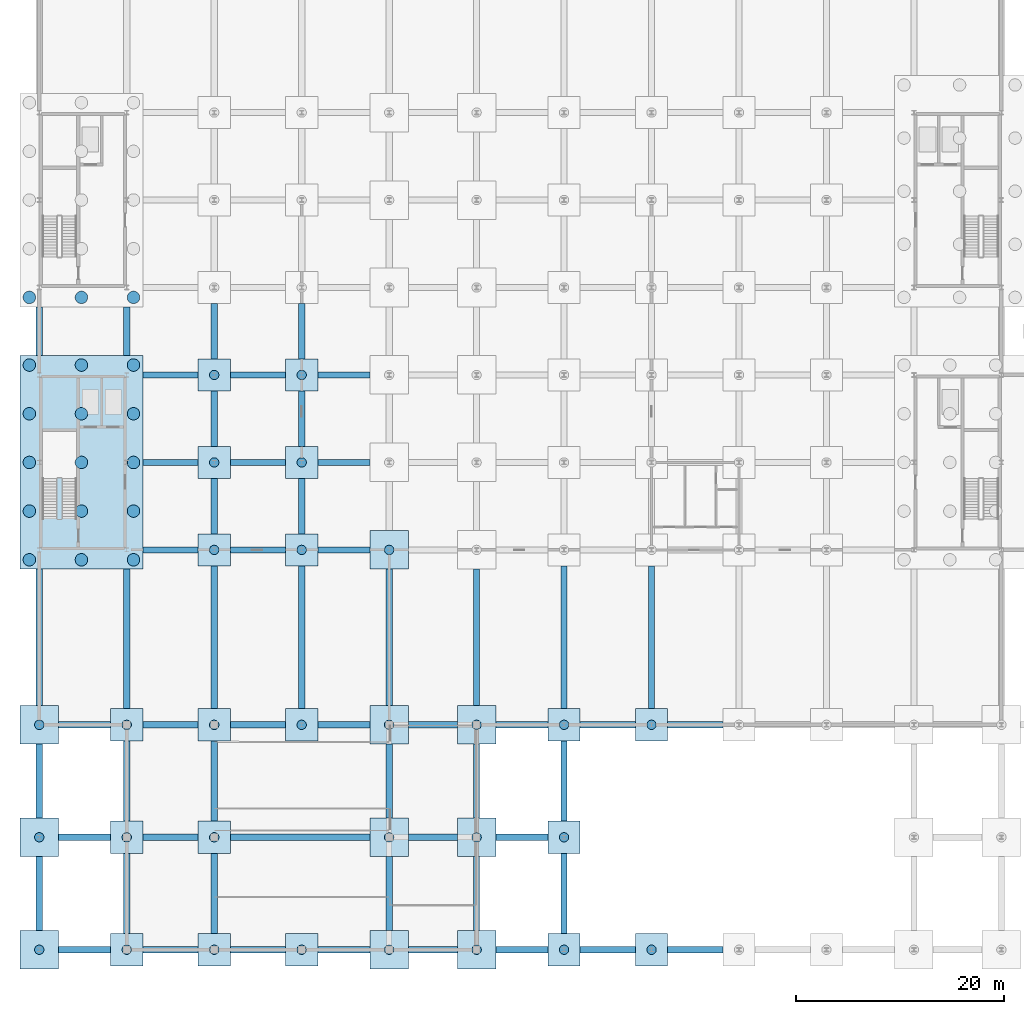
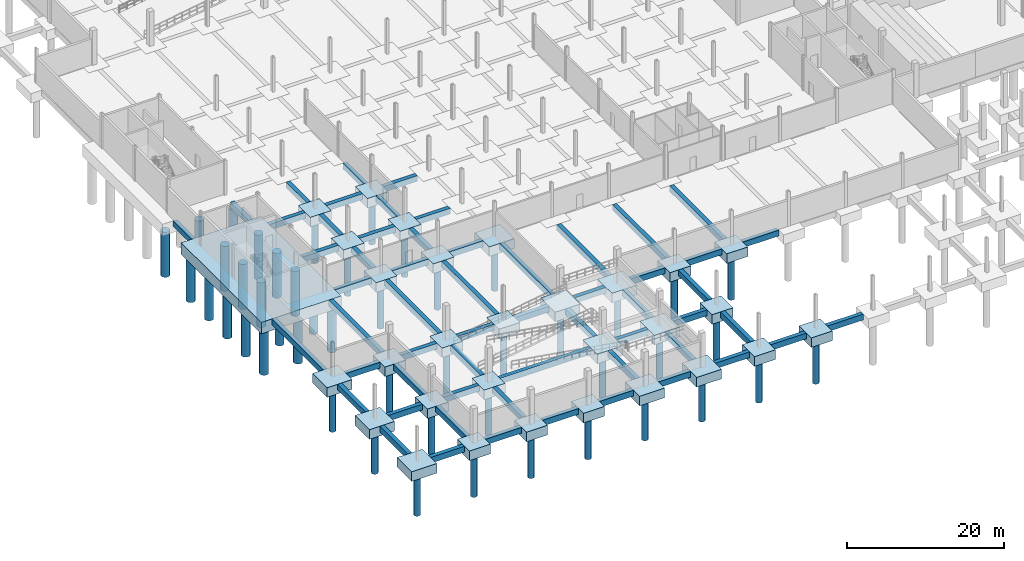
# One storey, part 1 of 36: 88 footings, 47 piles.
"""IFC4 building model written with IfcOpenShell, lengths in metres."""

from ifc_helpers import new_model, si_unit, direction, frame, origin, origin_2d, place, context, subcontext, project, spatial, rectangle, circle, extrude, material, material_profile, profile_set, type_object, element, save


model = new_model("IFC4")

# Units and contexts
model_context = context("Model", 3, precision=1e-05, world=origin(), true_north=direction((0.0, 1.0)))
body_context = subcontext(model_context, "Body", "Model", "MODEL_VIEW")
ifc_project = project(units=[si_unit("LENGTHUNIT", "METRE"), si_unit("AREAUNIT", "SQUARE_METRE"), si_unit("VOLUMEUNIT", "CUBIC_METRE"), si_unit("PLANEANGLEUNIT", "RADIAN"), si_unit("MASSUNIT", "GRAM", prefix="KILO"), si_unit("THERMODYNAMICTEMPERATUREUNIT", "KELVIN"), si_unit("POWERUNIT", "WATT")], contexts=[model_context])

# Site, building, storey
site_placement = place(None, origin())
site = spatial("IfcSite", under=ifc_project, at=site_placement, CompositionType="ELEMENT")
building_placement = place(site_placement, origin())
building = spatial("IfcBuilding", under=site, at=building_placement, Name="Tembeka Court Mobility Hub", CompositionType="ELEMENT")
storey_placement = place(building_placement, frame((0.0, 0.0, -5.39990234375)))
storey = spatial("IfcBuildingStorey", under=building, at=storey_placement, Name="B1", CompositionType="ELEMENT", Elevation=-5.39990234375)

# Footings
ifc_material = material(Name="Concrete C40/50", Category="concrete")
footing_type_1 = type_object("IfcFootingType", Name="FT-GB01", PredefinedType="FOOTING_BEAM", material=ifc_material)
footing_1_placement = place(storey_placement, frame((4.35009765625, 0.0, -0.900146484375), z_axis=(0.0, 0.0, 1.0), x_axis=(1.0, 0.0, 0.0)))
element("IfcFooting", 1, at=footing_1_placement, inside=storey, type_object=footing_type_1, Name="Ground tie beam GB01 X-001", PredefinedType="FOOTING_BEAM", context=body_context, shape_type="SweptSolid", body=[
    extrude(rectangle(XDim=5.0, YDim=0.60009765625, at=origin_2d()), origin(), (0.0, 0.0, 1.0), 0.89990234375),
])
for number, where, z_axis, x_axis, name in (
    (2, (12.60009765625, 0.0, -0.900146484375), (0.0, 0.0, 1.0), (1.0, 0.0, 0.0), "Ground tie beam GB01 X-002"),
    (3, (21.0, 0.0, -0.900146484375), (0.0, 0.0, 1.0), (1.0, 0.0, 0.0), "Ground tie beam GB01 X-003"),
):
    element("IfcFooting", number, at=place(storey_placement, frame(where, z_axis=z_axis, x_axis=x_axis)), inside=storey, type_object=footing_type_1, Name=name, PredefinedType="FOOTING_BEAM", context=body_context, shape_type="SweptSolid", body=[
        extrude(rectangle(XDim=5.300048828125, YDim=0.60009765625, at=origin_2d()), origin(), (0.0, 0.0, 1.0), 0.89990234375),
    ])
footing_2_placement = place(storey_placement, frame((29.25, 0.0, -0.900146484375), z_axis=(0.0, 0.0, 1.0), x_axis=(1.0, 0.0, 0.0)))
element("IfcFooting", 4, at=footing_2_placement, inside=storey, type_object=footing_type_1, Name="Ground tie beam GB01 X-004", PredefinedType="FOOTING_BEAM", context=body_context, shape_type="SweptSolid", body=[
    extrude(rectangle(XDim=5.0, YDim=0.60009765625, at=origin_2d()), origin(), (0.0, 0.0, 1.0), 0.89990234375),
])
footing_3_placement = place(storey_placement, frame((37.800048828125, 0.0, -0.900146484375), z_axis=(0.0, 0.0, 1.0), x_axis=(1.0, 0.0, 0.0)))
element("IfcFooting", 5, at=footing_3_placement, inside=storey, type_object=footing_type_1, Name="Ground tie beam GB01 X-005", PredefinedType="FOOTING_BEAM", context=body_context, shape_type="SweptSolid", body=[
    extrude(rectangle(XDim=4.699951171875, YDim=0.60009765625, at=origin_2d()), origin(), (0.0, 0.0, 1.0), 0.89990234375),
])
footing_4_placement = place(storey_placement, frame((46.35009765625, 0.0, -0.900146484375), z_axis=(0.0, 0.0, 1.0), x_axis=(1.0, 0.0, 0.0)))
element("IfcFooting", 6, at=footing_4_placement, inside=storey, type_object=footing_type_1, Name="Ground tie beam GB01 X-006", PredefinedType="FOOTING_BEAM", context=body_context, shape_type="SweptSolid", body=[
    extrude(rectangle(XDim=5.0, YDim=0.60009765625, at=origin_2d()), origin(), (0.0, 0.0, 1.0), 0.89990234375),
])
for number, where, z_axis, x_axis, name in (
    (7, (54.60009765625, 0.0, -0.900146484375), (0.0, 0.0, 1.0), (1.0, 0.0, 0.0), "Ground tie beam GB01 X-007"),
    (8, (63.0, 0.0, -0.900146484375), (0.0, 0.0, 1.0), (1.0, 0.0, 0.0), "Ground tie beam GB01 X-008"),
):
    element("IfcFooting", number, at=place(storey_placement, frame(where, z_axis=z_axis, x_axis=x_axis)), inside=storey, type_object=footing_type_1, Name=name, PredefinedType="FOOTING_BEAM", context=body_context, shape_type="SweptSolid", body=[
        extrude(rectangle(XDim=5.300048828125, YDim=0.60009765625, at=origin_2d()), origin(), (0.0, 0.0, 1.0), 0.89990234375),
    ])
footing_5_placement = place(storey_placement, frame((4.35009765625, 10.800048828125, -0.900146484375), z_axis=(0.0, 0.0, 1.0), x_axis=(1.0, 0.0, 0.0)))
element("IfcFooting", 9, at=footing_5_placement, inside=storey, type_object=footing_type_1, Name="Ground tie beam GB01 X-016", PredefinedType="FOOTING_BEAM", context=body_context, shape_type="SweptSolid", body=[
    extrude(rectangle(XDim=5.0, YDim=0.60009765625, at=origin_2d()), origin(), (0.0, 0.0, 1.0), 0.89990234375),
])
footing_6_placement = place(storey_placement, frame((12.60009765625, 10.800048828125, -0.900146484375), z_axis=(0.0, 0.0, 1.0), x_axis=(1.0, 0.0, 0.0)))
element("IfcFooting", 10, at=footing_6_placement, inside=storey, type_object=footing_type_1, Name="Ground tie beam GB01 X-017", PredefinedType="FOOTING_BEAM", context=body_context, shape_type="SweptSolid", body=[
    extrude(rectangle(XDim=5.300048828125, YDim=0.60009765625, at=origin_2d()), origin(), (0.0, 0.0, 1.0), 0.89990234375),
])
footing_7_placement = place(storey_placement, frame((25.050048828125, 10.800048828125, -0.900146484375), z_axis=(0.0, 0.0, 1.0), x_axis=(1.0, 0.0, 0.0)))
element("IfcFooting", 11, at=footing_7_placement, inside=storey, type_object=footing_type_1, Name="Ground tie beam GB01 X-018", PredefinedType="FOOTING_BEAM", context=body_context, shape_type="SweptSolid", body=[
    extrude(rectangle(XDim=13.39990234375, YDim=0.60009765625, at=origin_2d()), origin(), (0.0, 0.0, 1.0), 0.89990234375),
])
footing_8_placement = place(storey_placement, frame((37.800048828125, 10.800048828125, -0.900146484375), z_axis=(0.0, 0.0, 1.0), x_axis=(1.0, 0.0, 0.0)))
element("IfcFooting", 12, at=footing_8_placement, inside=storey, type_object=footing_type_1, Name="Ground tie beam GB01 X-019", PredefinedType="FOOTING_BEAM", context=body_context, shape_type="SweptSolid", body=[
    extrude(rectangle(XDim=4.699951171875, YDim=0.60009765625, at=origin_2d()), origin(), (0.0, 0.0, 1.0), 0.89990234375),
])
for number, where, z_axis, x_axis, name in (
    (13, (46.35009765625, 10.800048828125, -0.900146484375), (0.0, 0.0, 1.0), (1.0, 0.0, 0.0), "Ground tie beam GB01 X-020"),
    (14, (4.35009765625, 21.60009765625, -0.900146484375), (0.0, 0.0, 1.0), (1.0, 0.0, 0.0), "Ground tie beam GB01 X-026"),
):
    element("IfcFooting", number, at=place(storey_placement, frame(where, z_axis=z_axis, x_axis=x_axis)), inside=storey, type_object=footing_type_1, Name=name, PredefinedType="FOOTING_BEAM", context=body_context, shape_type="SweptSolid", body=[
        extrude(rectangle(XDim=5.0, YDim=0.60009765625, at=origin_2d()), origin(), (0.0, 0.0, 1.0), 0.89990234375),
    ])
for number, where, z_axis, x_axis, name in (
    (15, (12.60009765625, 21.60009765625, -0.900146484375), (0.0, 0.0, 1.0), (1.0, 0.0, 0.0), "Ground tie beam GB01 X-027"),
    (16, (21.0, 21.60009765625, -0.900146484375), (0.0, 0.0, 1.0), (1.0, 0.0, 0.0), "Ground tie beam GB01 X-028"),
):
    element("IfcFooting", number, at=place(storey_placement, frame(where, z_axis=z_axis, x_axis=x_axis)), inside=storey, type_object=footing_type_1, Name=name, PredefinedType="FOOTING_BEAM", context=body_context, shape_type="SweptSolid", body=[
        extrude(rectangle(XDim=5.300048828125, YDim=0.60009765625, at=origin_2d()), origin(), (0.0, 0.0, 1.0), 0.89990234375),
    ])
footing_9_placement = place(storey_placement, frame((29.25, 21.60009765625, -0.900146484375), z_axis=(0.0, 0.0, 1.0), x_axis=(1.0, 0.0, 0.0)))
element("IfcFooting", 17, at=footing_9_placement, inside=storey, type_object=footing_type_1, Name="Ground tie beam GB01 X-029", PredefinedType="FOOTING_BEAM", context=body_context, shape_type="SweptSolid", body=[
    extrude(rectangle(XDim=5.0, YDim=0.60009765625, at=origin_2d()), origin(), (0.0, 0.0, 1.0), 0.89990234375),
])
footing_10_placement = place(storey_placement, frame((37.800048828125, 21.60009765625, -0.900146484375), z_axis=(0.0, 0.0, 1.0), x_axis=(1.0, 0.0, 0.0)))
element("IfcFooting", 18, at=footing_10_placement, inside=storey, type_object=footing_type_1, Name="Ground tie beam GB01 X-030", PredefinedType="FOOTING_BEAM", context=body_context, shape_type="SweptSolid", body=[
    extrude(rectangle(XDim=4.699951171875, YDim=0.60009765625, at=origin_2d()), origin(), (0.0, 0.0, 1.0), 0.89990234375),
])
footing_11_placement = place(storey_placement, frame((46.35009765625, 21.60009765625, -0.900146484375), z_axis=(0.0, 0.0, 1.0), x_axis=(1.0, 0.0, 0.0)))
element("IfcFooting", 19, at=footing_11_placement, inside=storey, type_object=footing_type_1, Name="Ground tie beam GB01 X-031", PredefinedType="FOOTING_BEAM", context=body_context, shape_type="SweptSolid", body=[
    extrude(rectangle(XDim=5.0, YDim=0.60009765625, at=origin_2d()), origin(), (0.0, 0.0, 1.0), 0.89990234375),
])
for number, where, z_axis, x_axis, name in (
    (20, (54.60009765625, 21.60009765625, -0.900146484375), (0.0, 0.0, 1.0), (1.0, 0.0, 0.0), "Ground tie beam GB01 X-032"),
    (21, (63.0, 21.60009765625, -0.900146484375), (0.0, 0.0, 1.0), (1.0, 0.0, 0.0), "Ground tie beam GB01 X-033"),
    (22, (12.60009765625, 38.39990234375, -0.900146484375), (0.0, 0.0, 1.0), (1.0, 0.0, 0.0), "Ground tie beam GB01 X-043"),
    (23, (21.0, 38.39990234375, -0.900146484375), (0.0, 0.0, 1.0), (1.0, 0.0, 0.0), "Ground tie beam GB01 X-044"),
):
    element("IfcFooting", number, at=place(storey_placement, frame(where, z_axis=z_axis, x_axis=x_axis)), inside=storey, type_object=footing_type_1, Name=name, PredefinedType="FOOTING_BEAM", context=body_context, shape_type="SweptSolid", body=[
        extrude(rectangle(XDim=5.300048828125, YDim=0.60009765625, at=origin_2d()), origin(), (0.0, 0.0, 1.0), 0.89990234375),
    ])
footing_12_placement = place(storey_placement, frame((29.25, 38.39990234375, -0.900146484375), z_axis=(0.0, 0.0, 1.0), x_axis=(1.0, 0.0, 0.0)))
element("IfcFooting", 24, at=footing_12_placement, inside=storey, type_object=footing_type_1, Name="Ground tie beam GB01 X-045", PredefinedType="FOOTING_BEAM", context=body_context, shape_type="SweptSolid", body=[
    extrude(rectangle(XDim=5.0, YDim=0.60009765625, at=origin_2d()), origin(), (0.0, 0.0, 1.0), 0.89990234375),
])
for number, where, z_axis, x_axis, name in (
    (25, (12.60009765625, 46.800048828125, -0.900146484375), (0.0, 0.0, 1.0), (1.0, 0.0, 0.0), "Ground tie beam GB01 X-057"),
    (26, (21.0, 46.800048828125, -0.900146484375), (0.0, 0.0, 1.0), (1.0, 0.0, 0.0), "Ground tie beam GB01 X-058"),
):
    element("IfcFooting", number, at=place(storey_placement, frame(where, z_axis=z_axis, x_axis=x_axis)), inside=storey, type_object=footing_type_1, Name=name, PredefinedType="FOOTING_BEAM", context=body_context, shape_type="SweptSolid", body=[
        extrude(rectangle(XDim=5.300048828125, YDim=0.60009765625, at=origin_2d()), origin(), (0.0, 0.0, 1.0), 0.89990234375),
    ])
footing_13_placement = place(storey_placement, frame((29.25, 46.800048828125, -0.900146484375), z_axis=(0.0, 0.0, 1.0), x_axis=(1.0, 0.0, 0.0)))
element("IfcFooting", 27, at=footing_13_placement, inside=storey, type_object=footing_type_1, Name="Ground tie beam GB01 X-059", PredefinedType="FOOTING_BEAM", context=body_context, shape_type="SweptSolid", body=[
    extrude(rectangle(XDim=5.0, YDim=0.60009765625, at=origin_2d()), origin(), (0.0, 0.0, 1.0), 0.89990234375),
])
for number, where, z_axis, x_axis, name in (
    (28, (12.60009765625, 55.199951171875, -0.900146484375), (0.0, 0.0, 1.0), (1.0, 0.0, 0.0), "Ground tie beam GB01 X-071"),
    (29, (21.0, 55.199951171875, -0.900146484375), (0.0, 0.0, 1.0), (1.0, 0.0, 0.0), "Ground tie beam GB01 X-072"),
):
    element("IfcFooting", number, at=place(storey_placement, frame(where, z_axis=z_axis, x_axis=x_axis)), inside=storey, type_object=footing_type_1, Name=name, PredefinedType="FOOTING_BEAM", context=body_context, shape_type="SweptSolid", body=[
        extrude(rectangle(XDim=5.300048828125, YDim=0.60009765625, at=origin_2d()), origin(), (0.0, 0.0, 1.0), 0.89990234375),
    ])
footing_14_placement = place(storey_placement, frame((29.25, 55.199951171875, -0.900146484375), z_axis=(0.0, 0.0, 1.0), x_axis=(1.0, 0.0, 0.0)))
element("IfcFooting", 30, at=footing_14_placement, inside=storey, type_object=footing_type_1, Name="Ground tie beam GB01 X-073", PredefinedType="FOOTING_BEAM", context=body_context, shape_type="SweptSolid", body=[
    extrude(rectangle(XDim=5.0, YDim=0.60009765625, at=origin_2d()), origin(), (0.0, 0.0, 1.0), 0.89990234375),
])
for number, where, z_axis, x_axis, name in (
    (31, (0.0, 5.39990234375, -0.900146484375), (0.0, 0.0, 1.0), (0.0, 1.0, 0.0), "Ground tie beam GB01 Y-161"),
    (32, (0.0, 16.199951171875, -0.900146484375), (0.0, 0.0, 1.0), (0.0, 1.0, 0.0), "Ground tie beam GB01 Y-162"),
):
    element("IfcFooting", number, at=place(storey_placement, frame(where, z_axis=z_axis, x_axis=x_axis)), inside=storey, type_object=footing_type_1, Name=name, PredefinedType="FOOTING_BEAM", context=body_context, shape_type="SweptSolid", body=[
        extrude(rectangle(XDim=7.10009765625, YDim=0.60009765625, at=origin_2d()), origin(), (0.0, 0.0, 1.0), 0.89990234375),
    ])
footing_15_placement = place(storey_placement, frame((0.0, 30.0, -0.900146484375), z_axis=(0.0, 0.0, 1.0), x_axis=(0.0, 1.0, 0.0)))
element("IfcFooting", 33, at=footing_15_placement, inside=storey, type_object=footing_type_1, Name="Ground tie beam GB01 Y-163", PredefinedType="FOOTING_BEAM", context=body_context, shape_type="SweptSolid", body=[
    extrude(rectangle(XDim=13.10009765625, YDim=0.60009765625, at=origin_2d()), origin(), (0.0, 0.0, 1.0), 0.89990234375),
])
footing_16_placement = place(storey_placement, frame((0.0, 59.39990234375, -0.900146484375), z_axis=(0.0, 0.0, 1.0), x_axis=(0.0, 1.0, 0.0)))
element("IfcFooting", 34, at=footing_16_placement, inside=storey, type_object=footing_type_1, Name="Ground tie beam GB01 Y-164", PredefinedType="FOOTING_BEAM", context=body_context, shape_type="SweptSolid", body=[
    extrude(rectangle(XDim=4.699951171875, YDim=0.60009765625, at=origin_2d()), origin(), (0.0, 0.0, 1.0), 0.89990234375),
])
for number, where, z_axis, x_axis, name in (
    (35, (8.39990234375, 5.39990234375, -0.900146484375), (0.0, 0.0, 1.0), (0.0, 1.0, 0.0), "Ground tie beam GB01 Y-168"),
    (36, (8.39990234375, 16.199951171875, -0.900146484375), (0.0, 0.0, 1.0), (0.0, 1.0, 0.0), "Ground tie beam GB01 Y-169"),
):
    element("IfcFooting", number, at=place(storey_placement, frame(where, z_axis=z_axis, x_axis=x_axis)), inside=storey, type_object=footing_type_1, Name=name, PredefinedType="FOOTING_BEAM", context=body_context, shape_type="SweptSolid", body=[
        extrude(rectangle(XDim=7.699951171875, YDim=0.60009765625, at=origin_2d()), origin(), (0.0, 0.0, 1.0), 0.89990234375),
    ])
footing_17_placement = place(storey_placement, frame((8.39990234375, 29.85009765625, -0.900146484375), z_axis=(0.0, 0.0, 1.0), x_axis=(0.0, 1.0, 0.0)))
element("IfcFooting", 37, at=footing_17_placement, inside=storey, type_object=footing_type_1, Name="Ground tie beam GB01 Y-170", PredefinedType="FOOTING_BEAM", context=body_context, shape_type="SweptSolid", body=[
    extrude(rectangle(XDim=13.39990234375, YDim=0.60009765625, at=origin_2d()), origin(), (0.0, 0.0, 1.0), 0.89990234375),
])
footing_18_placement = place(storey_placement, frame((8.39990234375, 59.39990234375, -0.900146484375), z_axis=(0.0, 0.0, 1.0), x_axis=(0.0, 1.0, 0.0)))
element("IfcFooting", 38, at=footing_18_placement, inside=storey, type_object=footing_type_1, Name="Ground tie beam GB01 Y-171", PredefinedType="FOOTING_BEAM", context=body_context, shape_type="SweptSolid", body=[
    extrude(rectangle(XDim=4.699951171875, YDim=0.60009765625, at=origin_2d()), origin(), (0.0, 0.0, 1.0), 0.89990234375),
])
for number, where, z_axis, x_axis, name in (
    (39, (16.800048828125, 5.39990234375, -0.900146484375), (0.0, 0.0, 1.0), (0.0, 1.0, 0.0), "Ground tie beam GB01 Y-175"),
    (40, (16.800048828125, 16.199951171875, -0.900146484375), (0.0, 0.0, 1.0), (0.0, 1.0, 0.0), "Ground tie beam GB01 Y-176"),
):
    element("IfcFooting", number, at=place(storey_placement, frame(where, z_axis=z_axis, x_axis=x_axis)), inside=storey, type_object=footing_type_1, Name=name, PredefinedType="FOOTING_BEAM", context=body_context, shape_type="SweptSolid", body=[
        extrude(rectangle(XDim=7.699951171875, YDim=0.60009765625, at=origin_2d()), origin(), (0.0, 0.0, 1.0), 0.89990234375),
    ])
footing_19_placement = place(storey_placement, frame((16.800048828125, 30.0, -0.900146484375), z_axis=(0.0, 0.0, 1.0), x_axis=(0.0, 1.0, 0.0)))
element("IfcFooting", 41, at=footing_19_placement, inside=storey, type_object=footing_type_1, Name="Ground tie beam GB01 Y-177", PredefinedType="FOOTING_BEAM", context=body_context, shape_type="SweptSolid", body=[
    extrude(rectangle(XDim=13.699951171875, YDim=0.60009765625, at=origin_2d()), origin(), (0.0, 0.0, 1.0), 0.89990234375),
])
for number, where, z_axis, x_axis, name in (
    (42, (16.800048828125, 42.60009765625, -0.900146484375), (0.0, 0.0, 1.0), (0.0, 1.0, 0.0), "Ground tie beam GB01 Y-178"),
    (43, (16.800048828125, 51.0, -0.900146484375), (0.0, 0.0, 1.0), (0.0, 1.0, 0.0), "Ground tie beam GB01 Y-179"),
    (44, (16.800048828125, 59.39990234375, -0.900146484375), (0.0, 0.0, 1.0), (0.0, 1.0, 0.0), "Ground tie beam GB01 Y-180"),
):
    element("IfcFooting", number, at=place(storey_placement, frame(where, z_axis=z_axis, x_axis=x_axis)), inside=storey, type_object=footing_type_1, Name=name, PredefinedType="FOOTING_BEAM", context=body_context, shape_type="SweptSolid", body=[
        extrude(rectangle(XDim=5.300048828125, YDim=0.60009765625, at=origin_2d()), origin(), (0.0, 0.0, 1.0), 0.89990234375),
    ])
footing_20_placement = place(storey_placement, frame((25.199951171875, 30.0, -0.900146484375), z_axis=(0.0, 0.0, 1.0), x_axis=(0.0, 1.0, 0.0)))
element("IfcFooting", 45, at=footing_20_placement, inside=storey, type_object=footing_type_1, Name="Ground tie beam GB01 Y-186", PredefinedType="FOOTING_BEAM", context=body_context, shape_type="SweptSolid", body=[
    extrude(rectangle(XDim=13.699951171875, YDim=0.60009765625, at=origin_2d()), origin(), (0.0, 0.0, 1.0), 0.89990234375),
])
for number, where, z_axis, x_axis, name in (
    (46, (25.199951171875, 42.60009765625, -0.900146484375), (0.0, 0.0, 1.0), (0.0, 1.0, 0.0), "Ground tie beam GB01 Y-187"),
    (47, (25.199951171875, 51.0, -0.900146484375), (0.0, 0.0, 1.0), (0.0, 1.0, 0.0), "Ground tie beam GB01 Y-188"),
    (48, (25.199951171875, 59.39990234375, -0.900146484375), (0.0, 0.0, 1.0), (0.0, 1.0, 0.0), "Ground tie beam GB01 Y-189"),
):
    element("IfcFooting", number, at=place(storey_placement, frame(where, z_axis=z_axis, x_axis=x_axis)), inside=storey, type_object=footing_type_1, Name=name, PredefinedType="FOOTING_BEAM", context=body_context, shape_type="SweptSolid", body=[
        extrude(rectangle(XDim=5.300048828125, YDim=0.60009765625, at=origin_2d()), origin(), (0.0, 0.0, 1.0), 0.89990234375),
    ])
for number, where, z_axis, x_axis, name in (
    (49, (33.60009765625, 5.39990234375, -0.900146484375), (0.0, 0.0, 1.0), (0.0, 1.0, 0.0), "Ground tie beam GB01 Y-193"),
    (50, (33.60009765625, 16.199951171875, -0.900146484375), (0.0, 0.0, 1.0), (0.0, 1.0, 0.0), "Ground tie beam GB01 Y-194"),
):
    element("IfcFooting", number, at=place(storey_placement, frame(where, z_axis=z_axis, x_axis=x_axis)), inside=storey, type_object=footing_type_1, Name=name, PredefinedType="FOOTING_BEAM", context=body_context, shape_type="SweptSolid", body=[
        extrude(rectangle(XDim=7.10009765625, YDim=0.60009765625, at=origin_2d()), origin(), (0.0, 0.0, 1.0), 0.89990234375),
    ])
footing_21_placement = place(storey_placement, frame((33.60009765625, 30.0, -0.900146484375), z_axis=(0.0, 0.0, 1.0), x_axis=(0.0, 1.0, 0.0)))
element("IfcFooting", 51, at=footing_21_placement, inside=storey, type_object=footing_type_1, Name="Ground tie beam GB01 Y-195", PredefinedType="FOOTING_BEAM", context=body_context, shape_type="SweptSolid", body=[
    extrude(rectangle(XDim=13.10009765625, YDim=0.60009765625, at=origin_2d()), origin(), (0.0, 0.0, 1.0), 0.89990234375),
])
for number, where, z_axis, x_axis, name in (
    (52, (42.0, 5.39990234375, -0.900146484375), (0.0, 0.0, 1.0), (0.0, 1.0, 0.0), "Ground tie beam GB01 Y-204"),
    (53, (42.0, 16.199951171875, -0.900146484375), (0.0, 0.0, 1.0), (0.0, 1.0, 0.0), "Ground tie beam GB01 Y-205"),
):
    element("IfcFooting", number, at=place(storey_placement, frame(where, z_axis=z_axis, x_axis=x_axis)), inside=storey, type_object=footing_type_1, Name=name, PredefinedType="FOOTING_BEAM", context=body_context, shape_type="SweptSolid", body=[
        extrude(rectangle(XDim=7.10009765625, YDim=0.60009765625, at=origin_2d()), origin(), (0.0, 0.0, 1.0), 0.89990234375),
    ])
footing_22_placement = place(storey_placement, frame((42.0, 30.0, -0.900146484375), z_axis=(0.0, 0.0, 1.0), x_axis=(0.0, 1.0, 0.0)))
element("IfcFooting", 54, at=footing_22_placement, inside=storey, type_object=footing_type_1, Name="Ground tie beam GB01 Y-206", PredefinedType="FOOTING_BEAM", context=body_context, shape_type="SweptSolid", body=[
    extrude(rectangle(XDim=13.10009765625, YDim=0.60009765625, at=origin_2d()), origin(), (0.0, 0.0, 1.0), 0.89990234375),
])
for number, where, z_axis, x_axis, name in (
    (55, (50.39990234375, 5.39990234375, -0.900146484375), (0.0, 0.0, 1.0), (0.0, 1.0, 0.0), "Ground tie beam GB01 Y-215"),
    (56, (50.39990234375, 16.199951171875, -0.900146484375), (0.0, 0.0, 1.0), (0.0, 1.0, 0.0), "Ground tie beam GB01 Y-216"),
):
    element("IfcFooting", number, at=place(storey_placement, frame(where, z_axis=z_axis, x_axis=x_axis)), inside=storey, type_object=footing_type_1, Name=name, PredefinedType="FOOTING_BEAM", context=body_context, shape_type="SweptSolid", body=[
        extrude(rectangle(XDim=7.699951171875, YDim=0.60009765625, at=origin_2d()), origin(), (0.0, 0.0, 1.0), 0.89990234375),
    ])
for number, where, z_axis, x_axis, name in (
    (57, (50.39990234375, 30.0, -0.900146484375), (0.0, 0.0, 1.0), (0.0, 1.0, 0.0), "Ground tie beam GB01 Y-217"),
    (58, (58.800048828125, 30.0, -0.900146484375), (0.0, 0.0, 1.0), (0.0, 1.0, 0.0), "Ground tie beam GB01 Y-226"),
):
    element("IfcFooting", number, at=place(storey_placement, frame(where, z_axis=z_axis, x_axis=x_axis)), inside=storey, type_object=footing_type_1, Name=name, PredefinedType="FOOTING_BEAM", context=body_context, shape_type="SweptSolid", body=[
        extrude(rectangle(XDim=13.699951171875, YDim=0.60009765625, at=origin_2d()), origin(), (0.0, 0.0, 1.0), 0.89990234375),
    ])
footing_type_2 = type_object("IfcFootingType", Name="FT-PC01", PredefinedType="PILE_CAP", material=ifc_material)
for number, where, z_axis, x_axis, name in (
    (59, (0.0, 0.0, -1.5), (0.0, 0.0, 1.0), (1.0, 0.0, 0.0), "Pile cap PC01 (1)"),
    (60, (0.0, 10.800048828125, -1.5), (0.0, 0.0, 1.0), (1.0, 0.0, 0.0), "Pile cap PC01 (2)"),
    (61, (0.0, 21.60009765625, -1.5), (0.0, 0.0, 1.0), (1.0, 0.0, 0.0), "Pile cap PC01 (3)"),
    (62, (33.60009765625, 0.0, -1.5), (0.0, 0.0, 1.0), (1.0, 0.0, 0.0), "Pile cap PC01 (37)"),
    (63, (33.60009765625, 10.800048828125, -1.5), (0.0, 0.0, 1.0), (1.0, 0.0, 0.0), "Pile cap PC01 (38)"),
    (64, (33.60009765625, 21.60009765625, -1.5), (0.0, 0.0, 1.0), (1.0, 0.0, 0.0), "Pile cap PC01 (39)"),
    (65, (33.60009765625, 38.39990234375, -1.5), (0.0, 0.0, 1.0), (1.0, 0.0, 0.0), "Pile cap PC01 (40)"),
    (66, (42.0, 0.0, -1.5), (0.0, 0.0, 1.0), (1.0, 0.0, 0.0), "Pile cap PC01 (49)"),
    (67, (42.0, 10.800048828125, -1.5), (0.0, 0.0, 1.0), (1.0, 0.0, 0.0), "Pile cap PC01 (50)"),
    (68, (42.0, 21.60009765625, -1.5), (0.0, 0.0, 1.0), (1.0, 0.0, 0.0), "Pile cap PC01 (51)"),
):
    element("IfcFooting", number, at=place(storey_placement, frame(where, z_axis=z_axis, x_axis=x_axis)), inside=storey, type_object=footing_type_2, Name=name, PredefinedType="PILE_CAP", context=body_context, shape_type="SweptSolid", body=[
        extrude(rectangle(XDim=3.699951171875, YDim=3.699951171875, at=origin_2d()), origin(), (0.0, 0.0, 1.0), 1.5),
    ])
footing_type_3 = type_object("IfcFootingType", Name="FT-PC02", PredefinedType="PILE_CAP", material=ifc_material)
footing_23_placement = place(storey_placement, frame((4.050048828125, 46.800048828125, -1.80029296875), z_axis=(0.0, 0.0, 1.0), x_axis=(0.0, 1.0, 0.0)))
element("IfcFooting", 69, at=footing_23_placement, inside=storey, type_object=footing_type_3, Name="Pile cap PC02 (4)", PredefinedType="PILE_CAP", context=body_context, shape_type="SweptSolid", body=[
    extrude(rectangle(XDim=20.5, YDim=11.800048828125, at=origin_2d()), origin(), (0.0, 0.0, 1.0), 1.800048828125),
])
footing_type_4 = type_object("IfcFootingType", Name="FT-PC03", PredefinedType="PILE_CAP", material=ifc_material)
for number, where, z_axis, x_axis, name in (
    (70, (8.39990234375, 0.0, -1.5), (0.0, 0.0, 1.0), (1.0, 0.0, 0.0), "Pile cap PC03 (9)"),
    (71, (8.39990234375, 10.800048828125, -1.5), (0.0, 0.0, 1.0), (1.0, 0.0, 0.0), "Pile cap PC03 (10)"),
    (72, (8.39990234375, 21.60009765625, -1.5), (0.0, 0.0, 1.0), (1.0, 0.0, 0.0), "Pile cap PC03 (11)"),
    (73, (16.800048828125, 0.0, -1.5), (0.0, 0.0, 1.0), (1.0, 0.0, 0.0), "Pile cap PC03 (15)"),
    (74, (16.800048828125, 10.800048828125, -1.5), (0.0, 0.0, 1.0), (1.0, 0.0, 0.0), "Pile cap PC03 (16)"),
    (75, (16.800048828125, 21.60009765625, -1.5), (0.0, 0.0, 1.0), (1.0, 0.0, 0.0), "Pile cap PC03 (17)"),
    (76, (16.800048828125, 38.39990234375, -1.5), (0.0, 0.0, 1.0), (1.0, 0.0, 0.0), "Pile cap PC03 (18)"),
    (77, (16.800048828125, 46.800048828125, -1.5), (0.0, 0.0, 1.0), (1.0, 0.0, 0.0), "Pile cap PC03 (19)"),
    (78, (16.800048828125, 55.199951171875, -1.5), (0.0, 0.0, 1.0), (1.0, 0.0, 0.0), "Pile cap PC03 (20)"),
    (79, (25.199951171875, 0.0, -1.5), (0.0, 0.0, 1.0), (1.0, 0.0, 0.0), "Pile cap PC03 (27)"),
    (80, (25.199951171875, 21.60009765625, -1.5), (0.0, 0.0, 1.0), (1.0, 0.0, 0.0), "Pile cap PC03 (28)"),
    (81, (25.199951171875, 38.39990234375, -1.5), (0.0, 0.0, 1.0), (1.0, 0.0, 0.0), "Pile cap PC03 (29)"),
    (82, (25.199951171875, 46.800048828125, -1.5), (0.0, 0.0, 1.0), (1.0, 0.0, 0.0), "Pile cap PC03 (30)"),
    (83, (25.199951171875, 55.199951171875, -1.5), (0.0, 0.0, 1.0), (1.0, 0.0, 0.0), "Pile cap PC03 (31)"),
    (84, (50.39990234375, 0.0, -1.5), (0.0, 0.0, 1.0), (1.0, 0.0, 0.0), "Pile cap PC03 (61)"),
    (85, (50.39990234375, 10.800048828125, -1.5), (0.0, 0.0, 1.0), (1.0, 0.0, 0.0), "Pile cap PC03 (62)"),
    (86, (50.39990234375, 21.60009765625, -1.5), (0.0, 0.0, 1.0), (1.0, 0.0, 0.0), "Pile cap PC03 (63)"),
    (87, (58.800048828125, 0.0, -1.5), (0.0, 0.0, 1.0), (1.0, 0.0, 0.0), "Pile cap PC03 (73)"),
    (88, (58.800048828125, 21.60009765625, -1.5), (0.0, 0.0, 1.0), (1.0, 0.0, 0.0), "Pile cap PC03 (74)"),
):
    element("IfcFooting", number, at=place(storey_placement, frame(where, z_axis=z_axis, x_axis=x_axis)), inside=storey, type_object=footing_type_4, Name=name, PredefinedType="PILE_CAP", context=body_context, shape_type="SweptSolid", body=[
        extrude(rectangle(XDim=3.10009765625, YDim=3.10009765625, at=origin_2d()), origin(), (0.0, 0.0, 1.0), 1.5),
    ])

# Piles
ifc_material_profile_1 = material_profile(ifc_material, circle(Radius=0.449951171875, at=origin_2d()), Name="PILE D900")
ifc_profile_set_1 = profile_set([ifc_material_profile_1], Name="Concrete C40/50")
pile_type_1 = type_object("IfcPileType", Name="PILE-P02", PredefinedType="BORED", material=ifc_profile_set_1)
for number, where, z_axis, x_axis, name in (
    (89, (0.0, 0.0, -1.400146484375), (0.0, 0.0, -1.0), (1.0, 0.0, 0.0), "Bored pile P02 under CAP-001"),
    (90, (0.0, 10.800048828125, -1.400146484375), (0.0, 0.0, -1.0), (1.0, 0.0, 0.0), "Bored pile P02 under CAP-002"),
    (91, (0.0, 21.60009765625, -1.400146484375), (0.0, 0.0, -1.0), (1.0, 0.0, 0.0), "Bored pile P02 under CAP-003"),
    (92, (8.39990234375, 0.0, -1.400146484375), (0.0, 0.0, -1.0), (1.0, 0.0, 0.0), "Bored pile P02 under CAP-009"),
    (93, (8.39990234375, 10.800048828125, -1.400146484375), (0.0, 0.0, -1.0), (1.0, 0.0, 0.0), "Bored pile P02 under CAP-010"),
    (94, (8.39990234375, 21.60009765625, -1.400146484375), (0.0, 0.0, -1.0), (1.0, 0.0, 0.0), "Bored pile P02 under CAP-011"),
    (95, (16.800048828125, 0.0, -1.400146484375), (0.0, 0.0, -1.0), (1.0, 0.0, 0.0), "Bored pile P02 under CAP-015"),
    (96, (16.800048828125, 10.800048828125, -1.400146484375), (0.0, 0.0, -1.0), (1.0, 0.0, 0.0), "Bored pile P02 under CAP-016"),
    (97, (16.800048828125, 21.60009765625, -1.400146484375), (0.0, 0.0, -1.0), (1.0, 0.0, 0.0), "Bored pile P02 under CAP-017"),
    (98, (16.800048828125, 38.39990234375, -1.400146484375), (0.0, 0.0, -1.0), (1.0, 0.0, 0.0), "Bored pile P02 under CAP-018"),
    (99, (16.800048828125, 46.800048828125, -1.400146484375), (0.0, 0.0, -1.0), (1.0, 0.0, 0.0), "Bored pile P02 under CAP-019"),
    (100, (16.800048828125, 55.199951171875, -1.400146484375), (0.0, 0.0, -1.0), (1.0, 0.0, 0.0), "Bored pile P02 under CAP-020"),
    (101, (25.199951171875, 0.0, -1.400146484375), (0.0, 0.0, -1.0), (1.0, 0.0, 0.0), "Bored pile P02 under CAP-027"),
    (102, (25.199951171875, 21.60009765625, -1.400146484375), (0.0, 0.0, -1.0), (1.0, 0.0, 0.0), "Bored pile P02 under CAP-028"),
    (103, (25.199951171875, 38.39990234375, -1.400146484375), (0.0, 0.0, -1.0), (1.0, 0.0, 0.0), "Bored pile P02 under CAP-029"),
    (104, (25.199951171875, 46.800048828125, -1.400146484375), (0.0, 0.0, -1.0), (1.0, 0.0, 0.0), "Bored pile P02 under CAP-030"),
    (105, (25.199951171875, 55.199951171875, -1.400146484375), (0.0, 0.0, -1.0), (1.0, 0.0, 0.0), "Bored pile P02 under CAP-031"),
    (106, (33.60009765625, 0.0, -1.400146484375), (0.0, 0.0, -1.0), (1.0, 0.0, 0.0), "Bored pile P02 under CAP-037"),
    (107, (33.60009765625, 10.800048828125, -1.400146484375), (0.0, 0.0, -1.0), (1.0, 0.0, 0.0), "Bored pile P02 under CAP-038"),
    (108, (33.60009765625, 21.60009765625, -1.400146484375), (0.0, 0.0, -1.0), (1.0, 0.0, 0.0), "Bored pile P02 under CAP-039"),
    (109, (33.60009765625, 38.39990234375, -1.400146484375), (0.0, 0.0, -1.0), (1.0, 0.0, 0.0), "Bored pile P02 under CAP-040"),
    (110, (42.0, 0.0, -1.400146484375), (0.0, 0.0, -1.0), (1.0, 0.0, 0.0), "Bored pile P02 under CAP-049"),
    (111, (42.0, 10.800048828125, -1.400146484375), (0.0, 0.0, -1.0), (1.0, 0.0, 0.0), "Bored pile P02 under CAP-050"),
    (112, (42.0, 21.60009765625, -1.400146484375), (0.0, 0.0, -1.0), (1.0, 0.0, 0.0), "Bored pile P02 under CAP-051"),
    (113, (50.39990234375, 0.0, -1.400146484375), (0.0, 0.0, -1.0), (1.0, 0.0, 0.0), "Bored pile P02 under CAP-061"),
    (114, (50.39990234375, 10.800048828125, -1.400146484375), (0.0, 0.0, -1.0), (1.0, 0.0, 0.0), "Bored pile P02 under CAP-062"),
    (115, (50.39990234375, 21.60009765625, -1.400146484375), (0.0, 0.0, -1.0), (1.0, 0.0, 0.0), "Bored pile P02 under CAP-063"),
    (116, (58.800048828125, 0.0, -1.400146484375), (0.0, 0.0, -1.0), (1.0, 0.0, 0.0), "Bored pile P02 under CAP-073"),
    (117, (58.800048828125, 21.60009765625, -1.400146484375), (0.0, 0.0, -1.0), (1.0, 0.0, 0.0), "Bored pile P02 under CAP-074"),
):
    element("IfcPile", number, at=place(storey_placement, frame(where, z_axis=z_axis, x_axis=x_axis)), inside=storey, type_object=pile_type_1, Name=name, PredefinedType="BORED", context=body_context, shape_type="SweptSolid", body=[
        extrude(circle(Radius=0.449951171875, at=origin_2d()), origin(), (0.0, 0.0, 1.0), 7.0),
    ])
ifc_material_profile_2 = material_profile(ifc_material, circle(Radius=0.60009765625, at=origin_2d()), Name="PILE D1200")
ifc_profile_set_2 = profile_set([ifc_material_profile_2], Name="Concrete C40/50")
pile_type_2 = type_object("IfcPileType", Name="PILE-P04", PredefinedType="BORED", material=ifc_profile_set_2)
for number, where, z_axis, x_axis, name in (
    (118, (-0.949951171875, 37.449951171875, -1.7001953125), (0.0, 0.0, -1.0), (1.0, 0.0, 0.0), "Bored pile P04 under CAP-004"),
    (119, (-0.949951171875, 42.125, -1.7001953125), (0.0, 0.0, -1.0), (1.0, 0.0, 0.0), "Bored pile P04 under CAP-004"),
    (120, (-0.949951171875, 46.800048828125, -1.7001953125), (0.0, 0.0, -1.0), (1.0, 0.0, 0.0), "Bored pile P04 under CAP-004"),
    (121, (-0.949951171875, 51.47509765625, -1.7001953125), (0.0, 0.0, -1.0), (1.0, 0.0, 0.0), "Bored pile P04 under CAP-004"),
    (122, (-0.949951171875, 56.14990234375, -1.7001953125), (0.0, 0.0, -1.0), (1.0, 0.0, 0.0), "Bored pile P04 under CAP-004"),
    (123, (4.050048828125, 37.449951171875, -1.7001953125), (0.0, 0.0, -1.0), (1.0, 0.0, 0.0), "Bored pile P04 under CAP-004"),
    (124, (4.050048828125, 42.125, -1.7001953125), (0.0, 0.0, -1.0), (1.0, 0.0, 0.0), "Bored pile P04 under CAP-004"),
    (125, (4.050048828125, 46.800048828125, -1.7001953125), (0.0, 0.0, -1.0), (1.0, 0.0, 0.0), "Bored pile P04 under CAP-004"),
    (126, (4.050048828125, 51.47509765625, -1.7001953125), (0.0, 0.0, -1.0), (1.0, 0.0, 0.0), "Bored pile P04 under CAP-004"),
    (127, (4.050048828125, 56.14990234375, -1.7001953125), (0.0, 0.0, -1.0), (1.0, 0.0, 0.0), "Bored pile P04 under CAP-004"),
    (128, (9.050048828125, 37.449951171875, -1.7001953125), (0.0, 0.0, -1.0), (1.0, 0.0, 0.0), "Bored pile P04 under CAP-004"),
    (129, (9.050048828125, 42.125, -1.7001953125), (0.0, 0.0, -1.0), (1.0, 0.0, 0.0), "Bored pile P04 under CAP-004"),
    (130, (9.050048828125, 46.800048828125, -1.7001953125), (0.0, 0.0, -1.0), (1.0, 0.0, 0.0), "Bored pile P04 under CAP-004"),
    (131, (9.050048828125, 51.47509765625, -1.7001953125), (0.0, 0.0, -1.0), (1.0, 0.0, 0.0), "Bored pile P04 under CAP-004"),
    (132, (9.050048828125, 56.14990234375, -1.7001953125), (0.0, 0.0, -1.0), (1.0, 0.0, 0.0), "Bored pile P04 under CAP-004"),
    (133, (-0.949951171875, 62.64990234375, -1.7001953125), (0.0, 0.0, -1.0), (1.0, 0.0, 0.0), "Bored pile P04 under CAP-005"),
    (134, (4.050048828125, 62.64990234375, -1.7001953125), (0.0, 0.0, -1.0), (1.0, 0.0, 0.0), "Bored pile P04 under CAP-005"),
    (135, (9.050048828125, 62.64990234375, -1.7001953125), (0.0, 0.0, -1.0), (1.0, 0.0, 0.0), "Bored pile P04 under CAP-005"),
):
    element("IfcPile", number, at=place(storey_placement, frame(where, z_axis=z_axis, x_axis=x_axis)), inside=storey, type_object=pile_type_2, Name=name, PredefinedType="BORED", context=body_context, shape_type="SweptSolid", body=[
        extrude(circle(Radius=0.60009765625, at=origin_2d()), origin(), (0.0, 0.0, 1.0), 7.0),
    ])

save(model, "model.ifc")
